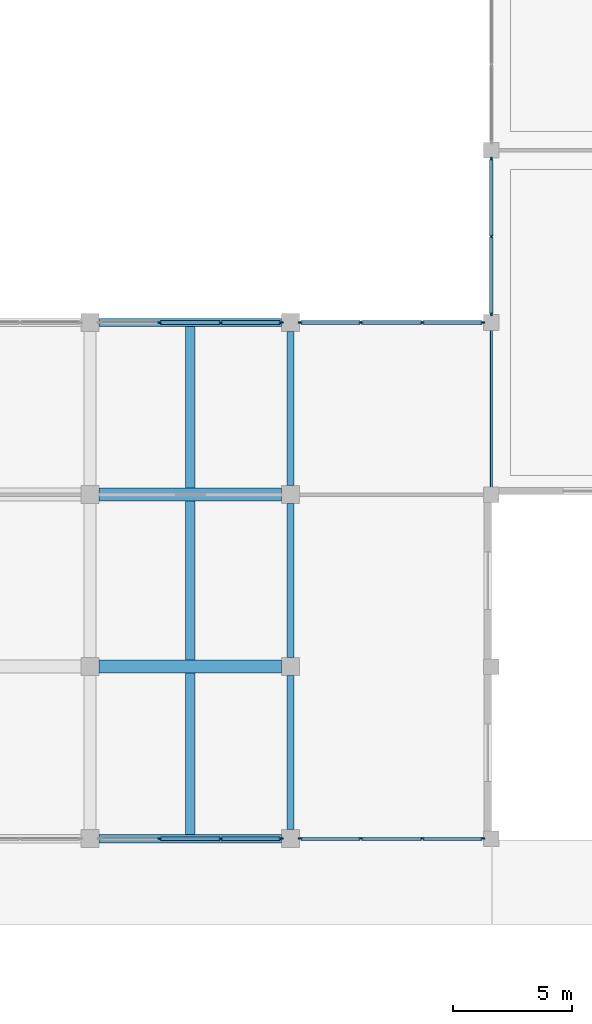
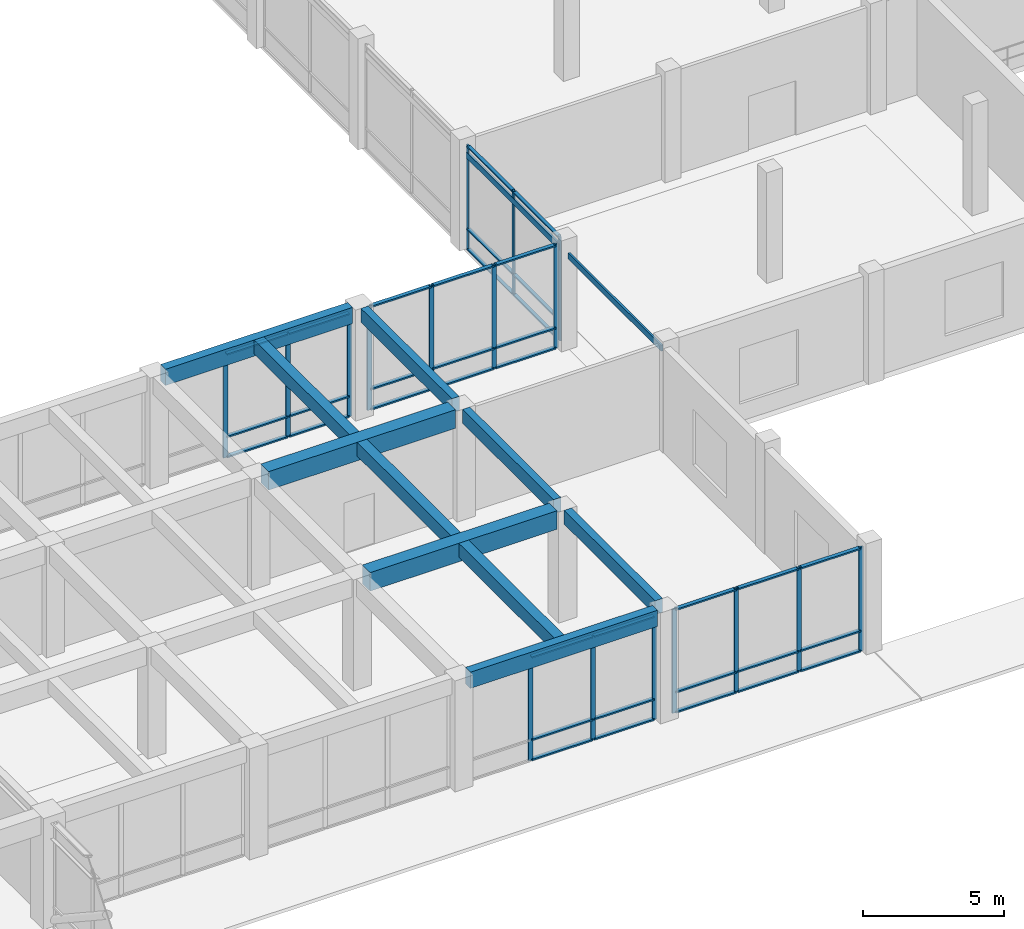
# One storey, part 25 of 52: 55 members, 10 beams, 5 elements without a shape of their own.
"""IFC4 building model written with IfcOpenShell, lengths in metres."""

from ifc_helpers import new_model, si_unit, direction, frame, origin, origin_2d, place, context, subcontext, project, spatial, rectangle, extrude, material, material_profile, profile_set, type_object, element, aggregate, save


model = new_model("IFC4")

# Units and contexts
model_context = context("Model", 3, precision=1e-05, world=origin(), true_north=direction((0.0, 1.0)))
body_context = subcontext(model_context, "Body", "Model", "MODEL_VIEW")
ifc_project = project(units=[si_unit("LENGTHUNIT", "METRE"), si_unit("AREAUNIT", "SQUARE_METRE"), si_unit("VOLUMEUNIT", "CUBIC_METRE"), si_unit("PLANEANGLEUNIT", "RADIAN"), si_unit("MASSUNIT", "GRAM", prefix="KILO")], contexts=[model_context])

# Site, building, storey
site_placement = place(None, origin())
site = spatial("IfcSite", under=ifc_project, at=site_placement, CompositionType="ELEMENT")
building_placement = place(site_placement, origin())
building = spatial("IfcBuilding", under=site, at=building_placement, Name="Kenerak Square Central Library", CompositionType="ELEMENT")
storey_placement = place(building_placement, frame((0.0, 0.0, 4.800048828125)))
storey = spatial("IfcBuildingStorey", under=building, at=storey_placement, Name="L01", CompositionType="ELEMENT", Elevation=4.800048828125)

# Members
ifc_material_1 = material(Name="Chengal hardwood timber SG1", Category="wood")
ifc_material_profile_1 = material_profile(ifc_material_1, rectangle(XDim=0.080078125, YDim=0.260009765625, at=origin_2d()), Name="CHENGAL 80x260")
ifc_profile_set_1 = profile_set([ifc_material_profile_1], Name="Chengal hardwood timber SG1")
member_type_1 = type_object("IfcMemberType", Name="Chengal Sun-Hood Blade CL-02 80x260", PredefinedType="USERDEFINED", material=ifc_profile_set_1)
for number, where, z_axis, x_axis, name in (
    (1, (150.800048828125, 31.5, 4.050048828125), (0.0, 1.0, 0.0), (-1.0, 0.0, 0.0), "Chengal Sun-Hood Blade CL-02 01"),
    (2, (150.800048828125, 38.699951171875, 4.050048828125), (0.0, 1.0, 0.0), (-1.0, 0.0, 0.0), "Chengal Sun-Hood Blade CL-02 02"),
):
    element("IfcMember", number, at=place(storey_placement, frame(where, z_axis=z_axis, x_axis=x_axis)), inside=storey, type_object=member_type_1, Name=name, ObjectType="LOUVRE BLADE", PredefinedType="USERDEFINED", context=body_context, shape_type="SweptSolid", body=[
        extrude(rectangle(XDim=0.080078125, YDim=0.260009765625, at=origin_2d()), origin(), (0.0, 0.0, 1.0), 6.60009765625),
    ])

# Beams
ifc_material_2 = material(Name="Concrete C40/50", Category="concrete")
ifc_material_profile_2 = material_profile(ifc_material_2, rectangle(XDim=0.300048828125, YDim=0.60009765625, at=origin_2d()), Name="RC 300x600")
ifc_profile_set_2 = profile_set([ifc_material_profile_2], Name="Concrete C40/50")
beam_type_1 = type_object("IfcBeamType", Name="Courtyard Spandrel Beam SP-02 RC 300x600 C40/50", PredefinedType="SPANDREL", material=ifc_profile_set_2)
for number, where, z_axis, x_axis, name in (
    (3, (142.39990234375, 17.175048828125, 4.5), (0.0, 1.0, 0.0), (-1.0, 0.0, 0.0), "Beam SP-02 L01 1094"),
    (4, (142.39990234375, 24.375, 4.5), (0.0, 1.0, 0.0), (-1.0, 0.0, 0.0), "Beam SP-02 L01 1095"),
    (5, (142.39990234375, 31.574951171875, 4.5), (0.0, 1.0, 0.0), (-1.0, 0.0, 0.0), "Beam SP-02 L01 1096"),
):
    element("IfcBeam", number, at=place(storey_placement, frame(where, z_axis=z_axis, x_axis=x_axis)), inside=storey, type_object=beam_type_1, Name=name, PredefinedType="SPANDREL", context=body_context, shape_type="SweptSolid", body=[
        extrude(rectangle(XDim=0.300048828125, YDim=0.60009765625, at=origin_2d()), origin(), (0.0, 0.0, 1.0), 6.449951171875),
    ])

# Curtain wall, members
ifc_material_3 = material(Name="Anodised aluminium and solar-control low-E glazing", Category="aluminium")
curtain_wall_type_1 = type_object("IfcCurtainWallType", Name="Curtain Wall CW-V6-76x45 7650x4500", PredefinedType="USERDEFINED", material=ifc_material_3)
curtain_wall_1_placement = place(storey_placement, origin())
curtain_wall_1 = element("IfcCurtainWall", 6, at=curtain_wall_1_placement, inside=storey, type_object=curtain_wall_type_1, Name="Curtain Wall CW-V6-76x45 L01 0037", ObjectType="CURTAIN WALL", PredefinedType="USERDEFINED")
ifc_material_4 = material(Name="Anodised aluminium 6063-T6", Category="aluminium")
ifc_material_profile_3 = material_profile(ifc_material_4, rectangle(XDim=0.06494140625, YDim=0.179931640625, at=origin_2d()), Name="AL MULLION 65x180")
ifc_profile_set_3 = profile_set([ifc_material_profile_3], Name="Anodised aluminium 6063-T6")
member_type_2 = type_object("IfcMemberType", Name="Curtain Mullion CM-01 65x180", PredefinedType="MULLION", material=ifc_profile_set_3)
member_1_placement = place(storey_placement, frame((136.925048828125, 38.39990234375, 0.0), z_axis=(0.0, 0.0, 1.0), x_axis=(0.0, 1.0, 0.0)))
member_1 = element("IfcMember", 7, at=member_1_placement, type_object=member_type_2, Name="CW-V6-76x45 Mullion 2", PredefinedType="MULLION", context=body_context, shape_type="SweptSolid", body=[
    extrude(rectangle(XDim=0.06494140625, YDim=0.179931640625, at=origin_2d()), origin(), (0.0, 0.0, 1.0), 4.5),
])
member_2_placement = place(storey_placement, frame((139.47509765625, 38.39990234375, 0.0), z_axis=(0.0, 0.0, 1.0), x_axis=(0.0, 1.0, 0.0)))
member_2 = element("IfcMember", 8, at=member_2_placement, type_object=member_type_2, Name="CW-V6-76x45 Mullion 3", PredefinedType="MULLION", context=body_context, shape_type="SweptSolid", body=[
    extrude(rectangle(XDim=0.06494140625, YDim=0.179931640625, at=origin_2d()), origin(), (0.0, 0.0, 1.0), 4.5),
])
member_3_placement = place(storey_placement, frame((141.992431640625, 38.39990234375, 0.0), z_axis=(0.0, 0.0, 1.0), x_axis=(0.0, 1.0, 0.0)))
member_3 = element("IfcMember", 9, at=member_3_placement, type_object=member_type_2, Name="CW-V6-76x45 Mullion 4", PredefinedType="MULLION", context=body_context, shape_type="SweptSolid", body=[
    extrude(rectangle(XDim=0.06494140625, YDim=0.179931640625, at=origin_2d()), origin(), (0.0, 0.0, 1.0), 4.5),
])

curtain_wall_type_2 = type_object("IfcCurtainWallType", Name="Curtain Wall CW-V6-77x45 7700x4500", PredefinedType="USERDEFINED", material=ifc_material_3)
curtain_wall_2_placement = place(storey_placement, origin())
curtain_wall_2 = element("IfcCurtainWall", 10, at=curtain_wall_2_placement, inside=storey, type_object=curtain_wall_type_2, Name="Curtain Wall CW-V6-77x45 L01 0038", ObjectType="CURTAIN WALL", PredefinedType="USERDEFINED")
member_4_placement = place(storey_placement, frame((142.8076171875, 38.39990234375, 0.0), z_axis=(0.0, 0.0, 1.0), x_axis=(0.0, 1.0, 0.0)))
member_4 = element("IfcMember", 11, at=member_4_placement, type_object=member_type_2, Name="CW-V6-77x45 Mullion 1", PredefinedType="MULLION", context=body_context, shape_type="SweptSolid", body=[
    extrude(rectangle(XDim=0.06494140625, YDim=0.179931640625, at=origin_2d()), origin(), (0.0, 0.0, 1.0), 4.5),
])
member_5_placement = place(storey_placement, frame((145.341552734375, 38.39990234375, 0.0), z_axis=(0.0, 0.0, 1.0), x_axis=(0.0, 1.0, 0.0)))
member_5 = element("IfcMember", 12, at=member_5_placement, type_object=member_type_2, Name="CW-V6-77x45 Mullion 2", PredefinedType="MULLION", context=body_context, shape_type="SweptSolid", body=[
    extrude(rectangle(XDim=0.06494140625, YDim=0.179931640625, at=origin_2d()), origin(), (0.0, 0.0, 1.0), 4.5),
])
member_6_placement = place(storey_placement, frame((147.908447265625, 38.39990234375, 0.0), z_axis=(0.0, 0.0, 1.0), x_axis=(0.0, 1.0, 0.0)))
member_6 = element("IfcMember", 13, at=member_6_placement, type_object=member_type_2, Name="CW-V6-77x45 Mullion 3", PredefinedType="MULLION", context=body_context, shape_type="SweptSolid", body=[
    extrude(rectangle(XDim=0.06494140625, YDim=0.179931640625, at=origin_2d()), origin(), (0.0, 0.0, 1.0), 4.5),
])
member_7_placement = place(storey_placement, frame((150.4423828125, 38.39990234375, 0.0), z_axis=(0.0, 0.0, 1.0), x_axis=(0.0, 1.0, 0.0)))
member_7 = element("IfcMember", 14, at=member_7_placement, type_object=member_type_2, Name="CW-V6-77x45 Mullion 4", PredefinedType="MULLION", context=body_context, shape_type="SweptSolid", body=[
    extrude(rectangle(XDim=0.06494140625, YDim=0.179931640625, at=origin_2d()), origin(), (0.0, 0.0, 1.0), 4.5),
])

curtain_wall_3_placement = place(storey_placement, origin())
curtain_wall_3 = element("IfcCurtainWall", 15, at=curtain_wall_3_placement, inside=storey, type_object=curtain_wall_type_2, Name="Curtain Wall CW-V6-77x45 L01 0043", ObjectType="CURTAIN WALL", PredefinedType="USERDEFINED")
member_8_placement = place(storey_placement, frame((150.4423828125, 16.800048828125, 0.0), z_axis=(0.0, 0.0, 1.0), x_axis=(0.0, -1.0, 0.0)))
member_8 = element("IfcMember", 16, at=member_8_placement, type_object=member_type_2, Name="CW-V6-77x45 Mullion 1", PredefinedType="MULLION", context=body_context, shape_type="SweptSolid", body=[
    extrude(rectangle(XDim=0.06494140625, YDim=0.179931640625, at=origin_2d()), origin(), (0.0, 0.0, 1.0), 4.5),
])
member_9_placement = place(storey_placement, frame((147.908447265625, 16.800048828125, 0.0), z_axis=(0.0, 0.0, 1.0), x_axis=(0.0, -1.0, 0.0)))
member_9 = element("IfcMember", 17, at=member_9_placement, type_object=member_type_2, Name="CW-V6-77x45 Mullion 2", PredefinedType="MULLION", context=body_context, shape_type="SweptSolid", body=[
    extrude(rectangle(XDim=0.06494140625, YDim=0.179931640625, at=origin_2d()), origin(), (0.0, 0.0, 1.0), 4.5),
])
member_10_placement = place(storey_placement, frame((145.341552734375, 16.800048828125, 0.0), z_axis=(0.0, 0.0, 1.0), x_axis=(0.0, -1.0, 0.0)))
member_10 = element("IfcMember", 18, at=member_10_placement, type_object=member_type_2, Name="CW-V6-77x45 Mullion 3", PredefinedType="MULLION", context=body_context, shape_type="SweptSolid", body=[
    extrude(rectangle(XDim=0.06494140625, YDim=0.179931640625, at=origin_2d()), origin(), (0.0, 0.0, 1.0), 4.5),
])
member_11_placement = place(storey_placement, frame((142.8076171875, 16.800048828125, 0.0), z_axis=(0.0, 0.0, 1.0), x_axis=(0.0, -1.0, 0.0)))
member_11 = element("IfcMember", 19, at=member_11_placement, type_object=member_type_2, Name="CW-V6-77x45 Mullion 4", PredefinedType="MULLION", context=body_context, shape_type="SweptSolid", body=[
    extrude(rectangle(XDim=0.06494140625, YDim=0.179931640625, at=origin_2d()), origin(), (0.0, 0.0, 1.0), 4.5),
])

curtain_wall_4_placement = place(storey_placement, origin())
curtain_wall_4 = element("IfcCurtainWall", 20, at=curtain_wall_4_placement, inside=storey, type_object=curtain_wall_type_1, Name="Curtain Wall CW-V6-76x45 L01 0044", ObjectType="CURTAIN WALL", PredefinedType="USERDEFINED")
member_12_placement = place(storey_placement, frame((141.992431640625, 16.800048828125, 0.0), z_axis=(0.0, 0.0, 1.0), x_axis=(0.0, -1.0, 0.0)))
member_12 = element("IfcMember", 21, at=member_12_placement, type_object=member_type_2, Name="CW-V6-76x45 Mullion 1", PredefinedType="MULLION", context=body_context, shape_type="SweptSolid", body=[
    extrude(rectangle(XDim=0.06494140625, YDim=0.179931640625, at=origin_2d()), origin(), (0.0, 0.0, 1.0), 4.5),
])
member_13_placement = place(storey_placement, frame((139.47509765625, 16.800048828125, 0.0), z_axis=(0.0, 0.0, 1.0), x_axis=(0.0, -1.0, 0.0)))
member_13 = element("IfcMember", 22, at=member_13_placement, type_object=member_type_2, Name="CW-V6-76x45 Mullion 2", PredefinedType="MULLION", context=body_context, shape_type="SweptSolid", body=[
    extrude(rectangle(XDim=0.06494140625, YDim=0.179931640625, at=origin_2d()), origin(), (0.0, 0.0, 1.0), 4.5),
])
member_14_placement = place(storey_placement, frame((136.925048828125, 16.800048828125, 0.0), z_axis=(0.0, 0.0, 1.0), x_axis=(0.0, -1.0, 0.0)))
member_14 = element("IfcMember", 23, at=member_14_placement, type_object=member_type_2, Name="CW-V6-76x45 Mullion 3", PredefinedType="MULLION", context=body_context, shape_type="SweptSolid", body=[
    extrude(rectangle(XDim=0.06494140625, YDim=0.179931640625, at=origin_2d()), origin(), (0.0, 0.0, 1.0), 4.5),
])

curtain_wall_type_3 = type_object("IfcCurtainWallType", Name="Curtain Wall CW-V2-65x45 6550x4500", PredefinedType="USERDEFINED", material=ifc_material_3)
curtain_wall_5_placement = place(storey_placement, origin())
curtain_wall_5 = element("IfcCurtainWall", 24, at=curtain_wall_5_placement, inside=storey, type_object=curtain_wall_type_3, Name="Curtain Wall CW-V2-65x45 L01 0039", ObjectType="CURTAIN WALL", PredefinedType="USERDEFINED")
ifc_material_profile_4 = material_profile(ifc_material_4, rectangle(XDim=0.06005859375, YDim=0.14990234375, at=origin_2d()), Name="AL MULLION 60x150")
ifc_profile_set_4 = profile_set([ifc_material_profile_4], Name="Anodised aluminium 6063-T6")
member_type_3 = type_object("IfcMemberType", Name="Curtain Mullion CM-03 60x150", PredefinedType="MULLION", material=ifc_profile_set_4)
member_15_placement = place(storey_placement, frame((150.800048828125, 38.7548828125, 0.0), z_axis=(0.0, 0.0, 1.0), x_axis=(-1.0, 0.0, 0.0)))
member_15 = element("IfcMember", 25, at=member_15_placement, type_object=member_type_3, Name="CW-V2-65x45 Mullion 1", PredefinedType="MULLION", context=body_context, shape_type="SweptSolid", body=[
    extrude(rectangle(XDim=0.06005859375, YDim=0.14990234375, at=origin_2d()), origin(), (0.0, 0.0, 1.0), 4.5),
])
member_16_placement = place(storey_placement, frame((150.800048828125, 42.0, 0.0), z_axis=(0.0, 0.0, 1.0), x_axis=(-1.0, 0.0, 0.0)))
member_16 = element("IfcMember", 26, at=member_16_placement, type_object=member_type_3, Name="CW-V2-65x45 Mullion 2", PredefinedType="MULLION", context=body_context, shape_type="SweptSolid", body=[
    extrude(rectangle(XDim=0.06005859375, YDim=0.14990234375, at=origin_2d()), origin(), (0.0, 0.0, 1.0), 4.5),
])
member_17_placement = place(storey_placement, frame((150.800048828125, 45.2451171875, 0.0), z_axis=(0.0, 0.0, 1.0), x_axis=(-1.0, 0.0, 0.0)))
member_17 = element("IfcMember", 27, at=member_17_placement, type_object=member_type_3, Name="CW-V2-65x45 Mullion 3", PredefinedType="MULLION", context=body_context, shape_type="SweptSolid", body=[
    extrude(rectangle(XDim=0.06005859375, YDim=0.14990234375, at=origin_2d()), origin(), (0.0, 0.0, 1.0), 4.5),
])

# Member
ifc_material_profile_5 = material_profile(ifc_material_4, rectangle(XDim=0.159912109375, YDim=0.06494140625, at=origin_2d()), Name="AL TRANSOM 160x65")
ifc_profile_set_5 = profile_set([ifc_material_profile_5], Name="Anodised aluminium 6063-T6")
member_type_4 = type_object("IfcMemberType", Name="Curtain Transom CT-11 160x65", PredefinedType="USERDEFINED", material=ifc_profile_set_5)
member_18_placement = place(storey_placement, frame((136.95751953125, 38.39990234375, 0.032470703125), z_axis=(1.0, 0.0, 0.0), x_axis=(0.0, 1.0, 0.0)))
member_18 = element("IfcMember", 28, at=member_18_placement, type_object=member_type_4, Name="CW-V6-76x45 Transom 2.1", ObjectType="TRANSOM", PredefinedType="USERDEFINED", context=body_context, shape_type="SweptSolid", body=[
    extrude(rectangle(XDim=0.159912109375, YDim=0.06494140625, at=origin_2d()), origin(), (0.0, 0.0, 1.0), 2.48486328125),
])

member_19_placement = place(storey_placement, frame((136.95751953125, 38.39990234375, 0.89990234375), z_axis=(1.0, 0.0, 0.0), x_axis=(0.0, 1.0, 0.0)))
member_19 = element("IfcMember", 29, at=member_19_placement, type_object=member_type_4, Name="CW-V6-76x45 Transom 2.2", ObjectType="TRANSOM", PredefinedType="USERDEFINED", context=body_context, shape_type="SweptSolid", body=[
    extrude(rectangle(XDim=0.159912109375, YDim=0.06494140625, at=origin_2d()), origin(), (0.0, 0.0, 1.0), 2.48486328125),
])

member_20_placement = place(storey_placement, frame((136.95751953125, 38.39990234375, 4.467529296875), z_axis=(1.0, 0.0, 0.0), x_axis=(0.0, 1.0, 0.0)))
member_20 = element("IfcMember", 30, at=member_20_placement, type_object=member_type_4, Name="CW-V6-76x45 Transom 2.3", ObjectType="TRANSOM", PredefinedType="USERDEFINED", context=body_context, shape_type="SweptSolid", body=[
    extrude(rectangle(XDim=0.159912109375, YDim=0.06494140625, at=origin_2d()), origin(), (0.0, 0.0, 1.0), 2.48486328125),
])

member_21_placement = place(storey_placement, frame((139.507568359375, 38.39990234375, 0.032470703125), z_axis=(1.0, 0.0, 0.0), x_axis=(0.0, 1.0, 0.0)))
member_21 = element("IfcMember", 31, at=member_21_placement, type_object=member_type_4, Name="CW-V6-76x45 Transom 3.1", ObjectType="TRANSOM", PredefinedType="USERDEFINED", context=body_context, shape_type="SweptSolid", body=[
    extrude(rectangle(XDim=0.159912109375, YDim=0.06494140625, at=origin_2d()), origin(), (0.0, 0.0, 1.0), 2.452392578125),
])

member_22_placement = place(storey_placement, frame((139.507568359375, 38.39990234375, 0.89990234375), z_axis=(1.0, 0.0, 0.0), x_axis=(0.0, 1.0, 0.0)))
member_22 = element("IfcMember", 32, at=member_22_placement, type_object=member_type_4, Name="CW-V6-76x45 Transom 3.2", ObjectType="TRANSOM", PredefinedType="USERDEFINED", context=body_context, shape_type="SweptSolid", body=[
    extrude(rectangle(XDim=0.159912109375, YDim=0.06494140625, at=origin_2d()), origin(), (0.0, 0.0, 1.0), 2.452392578125),
])

member_23_placement = place(storey_placement, frame((139.507568359375, 38.39990234375, 4.467529296875), z_axis=(1.0, 0.0, 0.0), x_axis=(0.0, 1.0, 0.0)))
member_23 = element("IfcMember", 33, at=member_23_placement, type_object=member_type_4, Name="CW-V6-76x45 Transom 3.3", ObjectType="TRANSOM", PredefinedType="USERDEFINED", context=body_context, shape_type="SweptSolid", body=[
    extrude(rectangle(XDim=0.159912109375, YDim=0.06494140625, at=origin_2d()), origin(), (0.0, 0.0, 1.0), 2.452392578125),
])

aggregate(curtain_wall_1, [member_1, member_2, member_3, member_18, member_19, member_20, member_21, member_22, member_23])

member_24_placement = place(storey_placement, frame((142.840087890625, 38.39990234375, 0.032470703125), z_axis=(1.0, 0.0, 0.0), x_axis=(0.0, 1.0, 0.0)))
member_24 = element("IfcMember", 34, at=member_24_placement, type_object=member_type_4, Name="CW-V6-77x45 Transom 1.1", ObjectType="TRANSOM", PredefinedType="USERDEFINED", context=body_context, shape_type="SweptSolid", body=[
    extrude(rectangle(XDim=0.159912109375, YDim=0.06494140625, at=origin_2d()), origin(), (0.0, 0.0, 1.0), 2.468994140625),
])

member_25_placement = place(storey_placement, frame((142.840087890625, 38.39990234375, 0.89990234375), z_axis=(1.0, 0.0, 0.0), x_axis=(0.0, 1.0, 0.0)))
member_25 = element("IfcMember", 35, at=member_25_placement, type_object=member_type_4, Name="CW-V6-77x45 Transom 1.2", ObjectType="TRANSOM", PredefinedType="USERDEFINED", context=body_context, shape_type="SweptSolid", body=[
    extrude(rectangle(XDim=0.159912109375, YDim=0.06494140625, at=origin_2d()), origin(), (0.0, 0.0, 1.0), 2.468994140625),
])

member_26_placement = place(storey_placement, frame((142.840087890625, 38.39990234375, 4.467529296875), z_axis=(1.0, 0.0, 0.0), x_axis=(0.0, 1.0, 0.0)))
member_26 = element("IfcMember", 36, at=member_26_placement, type_object=member_type_4, Name="CW-V6-77x45 Transom 1.3", ObjectType="TRANSOM", PredefinedType="USERDEFINED", context=body_context, shape_type="SweptSolid", body=[
    extrude(rectangle(XDim=0.159912109375, YDim=0.06494140625, at=origin_2d()), origin(), (0.0, 0.0, 1.0), 2.468994140625),
])

member_27_placement = place(storey_placement, frame((145.374267578125, 38.39990234375, 0.032470703125), z_axis=(1.0, 0.0, 0.0), x_axis=(0.0, 1.0, 0.0)))
member_27 = element("IfcMember", 37, at=member_27_placement, type_object=member_type_4, Name="CW-V6-77x45 Transom 2.1", ObjectType="TRANSOM", PredefinedType="USERDEFINED", context=body_context, shape_type="SweptSolid", body=[
    extrude(rectangle(XDim=0.159912109375, YDim=0.06494140625, at=origin_2d()), origin(), (0.0, 0.0, 1.0), 2.50146484375),
])

member_28_placement = place(storey_placement, frame((145.374267578125, 38.39990234375, 0.89990234375), z_axis=(1.0, 0.0, 0.0), x_axis=(0.0, 1.0, 0.0)))
member_28 = element("IfcMember", 38, at=member_28_placement, type_object=member_type_4, Name="CW-V6-77x45 Transom 2.2", ObjectType="TRANSOM", PredefinedType="USERDEFINED", context=body_context, shape_type="SweptSolid", body=[
    extrude(rectangle(XDim=0.159912109375, YDim=0.06494140625, at=origin_2d()), origin(), (0.0, 0.0, 1.0), 2.50146484375),
])

member_29_placement = place(storey_placement, frame((145.374267578125, 38.39990234375, 4.467529296875), z_axis=(1.0, 0.0, 0.0), x_axis=(0.0, 1.0, 0.0)))
member_29 = element("IfcMember", 39, at=member_29_placement, type_object=member_type_4, Name="CW-V6-77x45 Transom 2.3", ObjectType="TRANSOM", PredefinedType="USERDEFINED", context=body_context, shape_type="SweptSolid", body=[
    extrude(rectangle(XDim=0.159912109375, YDim=0.06494140625, at=origin_2d()), origin(), (0.0, 0.0, 1.0), 2.50146484375),
])

member_30_placement = place(storey_placement, frame((147.94091796875, 38.39990234375, 0.032470703125), z_axis=(1.0, 0.0, 0.0), x_axis=(0.0, 1.0, 0.0)))
member_30 = element("IfcMember", 40, at=member_30_placement, type_object=member_type_4, Name="CW-V6-77x45 Transom 3.1", ObjectType="TRANSOM", PredefinedType="USERDEFINED", context=body_context, shape_type="SweptSolid", body=[
    extrude(rectangle(XDim=0.159912109375, YDim=0.06494140625, at=origin_2d()), origin(), (0.0, 0.0, 1.0), 2.468994140625),
])

member_31_placement = place(storey_placement, frame((147.94091796875, 38.39990234375, 0.89990234375), z_axis=(1.0, 0.0, 0.0), x_axis=(0.0, 1.0, 0.0)))
member_31 = element("IfcMember", 41, at=member_31_placement, type_object=member_type_4, Name="CW-V6-77x45 Transom 3.2", ObjectType="TRANSOM", PredefinedType="USERDEFINED", context=body_context, shape_type="SweptSolid", body=[
    extrude(rectangle(XDim=0.159912109375, YDim=0.06494140625, at=origin_2d()), origin(), (0.0, 0.0, 1.0), 2.468994140625),
])

member_32_placement = place(storey_placement, frame((147.94091796875, 38.39990234375, 4.467529296875), z_axis=(1.0, 0.0, 0.0), x_axis=(0.0, 1.0, 0.0)))
member_32 = element("IfcMember", 42, at=member_32_placement, type_object=member_type_4, Name="CW-V6-77x45 Transom 3.3", ObjectType="TRANSOM", PredefinedType="USERDEFINED", context=body_context, shape_type="SweptSolid", body=[
    extrude(rectangle(XDim=0.159912109375, YDim=0.06494140625, at=origin_2d()), origin(), (0.0, 0.0, 1.0), 2.468994140625),
])

aggregate(curtain_wall_2, [member_4, member_5, member_6, member_7, member_24, member_25, member_26, member_27, member_28, member_29, member_30, member_31, member_32])

member_33_placement = place(storey_placement, frame((150.409912109375, 16.800048828125, 0.032470703125), z_axis=(-1.0, 0.0, 0.0), x_axis=(0.0, -1.0, 0.0)))
member_33 = element("IfcMember", 43, at=member_33_placement, type_object=member_type_4, Name="CW-V6-77x45 Transom 1.1", ObjectType="TRANSOM", PredefinedType="USERDEFINED", context=body_context, shape_type="SweptSolid", body=[
    extrude(rectangle(XDim=0.159912109375, YDim=0.06494140625, at=origin_2d()), origin(), (0.0, 0.0, 1.0), 2.468994140625),
])

member_34_placement = place(storey_placement, frame((150.409912109375, 16.800048828125, 0.89990234375), z_axis=(-1.0, 0.0, 0.0), x_axis=(0.0, -1.0, 0.0)))
member_34 = element("IfcMember", 44, at=member_34_placement, type_object=member_type_4, Name="CW-V6-77x45 Transom 1.2", ObjectType="TRANSOM", PredefinedType="USERDEFINED", context=body_context, shape_type="SweptSolid", body=[
    extrude(rectangle(XDim=0.159912109375, YDim=0.06494140625, at=origin_2d()), origin(), (0.0, 0.0, 1.0), 2.468994140625),
])

member_35_placement = place(storey_placement, frame((150.409912109375, 16.800048828125, 4.467529296875), z_axis=(-1.0, 0.0, 0.0), x_axis=(0.0, -1.0, 0.0)))
member_35 = element("IfcMember", 45, at=member_35_placement, type_object=member_type_4, Name="CW-V6-77x45 Transom 1.3", ObjectType="TRANSOM", PredefinedType="USERDEFINED", context=body_context, shape_type="SweptSolid", body=[
    extrude(rectangle(XDim=0.159912109375, YDim=0.06494140625, at=origin_2d()), origin(), (0.0, 0.0, 1.0), 2.468994140625),
])

member_36_placement = place(storey_placement, frame((147.875732421875, 16.800048828125, 0.032470703125), z_axis=(-1.0, 0.0, 0.0), x_axis=(0.0, -1.0, 0.0)))
member_36 = element("IfcMember", 46, at=member_36_placement, type_object=member_type_4, Name="CW-V6-77x45 Transom 2.1", ObjectType="TRANSOM", PredefinedType="USERDEFINED", context=body_context, shape_type="SweptSolid", body=[
    extrude(rectangle(XDim=0.159912109375, YDim=0.06494140625, at=origin_2d()), origin(), (0.0, 0.0, 1.0), 2.50146484375),
])

member_37_placement = place(storey_placement, frame((147.875732421875, 16.800048828125, 0.89990234375), z_axis=(-1.0, 0.0, 0.0), x_axis=(0.0, -1.0, 0.0)))
member_37 = element("IfcMember", 47, at=member_37_placement, type_object=member_type_4, Name="CW-V6-77x45 Transom 2.2", ObjectType="TRANSOM", PredefinedType="USERDEFINED", context=body_context, shape_type="SweptSolid", body=[
    extrude(rectangle(XDim=0.159912109375, YDim=0.06494140625, at=origin_2d()), origin(), (0.0, 0.0, 1.0), 2.50146484375),
])

member_38_placement = place(storey_placement, frame((147.875732421875, 16.800048828125, 4.467529296875), z_axis=(-1.0, 0.0, 0.0), x_axis=(0.0, -1.0, 0.0)))
member_38 = element("IfcMember", 48, at=member_38_placement, type_object=member_type_4, Name="CW-V6-77x45 Transom 2.3", ObjectType="TRANSOM", PredefinedType="USERDEFINED", context=body_context, shape_type="SweptSolid", body=[
    extrude(rectangle(XDim=0.159912109375, YDim=0.06494140625, at=origin_2d()), origin(), (0.0, 0.0, 1.0), 2.50146484375),
])

member_39_placement = place(storey_placement, frame((145.30908203125, 16.800048828125, 0.032470703125), z_axis=(-1.0, 0.0, 0.0), x_axis=(0.0, -1.0, 0.0)))
member_39 = element("IfcMember", 49, at=member_39_placement, type_object=member_type_4, Name="CW-V6-77x45 Transom 3.1", ObjectType="TRANSOM", PredefinedType="USERDEFINED", context=body_context, shape_type="SweptSolid", body=[
    extrude(rectangle(XDim=0.159912109375, YDim=0.06494140625, at=origin_2d()), origin(), (0.0, 0.0, 1.0), 2.468994140625),
])

member_40_placement = place(storey_placement, frame((145.30908203125, 16.800048828125, 0.89990234375), z_axis=(-1.0, 0.0, 0.0), x_axis=(0.0, -1.0, 0.0)))
member_40 = element("IfcMember", 50, at=member_40_placement, type_object=member_type_4, Name="CW-V6-77x45 Transom 3.2", ObjectType="TRANSOM", PredefinedType="USERDEFINED", context=body_context, shape_type="SweptSolid", body=[
    extrude(rectangle(XDim=0.159912109375, YDim=0.06494140625, at=origin_2d()), origin(), (0.0, 0.0, 1.0), 2.468994140625),
])

member_41_placement = place(storey_placement, frame((145.30908203125, 16.800048828125, 4.467529296875), z_axis=(-1.0, 0.0, 0.0), x_axis=(0.0, -1.0, 0.0)))
member_41 = element("IfcMember", 51, at=member_41_placement, type_object=member_type_4, Name="CW-V6-77x45 Transom 3.3", ObjectType="TRANSOM", PredefinedType="USERDEFINED", context=body_context, shape_type="SweptSolid", body=[
    extrude(rectangle(XDim=0.159912109375, YDim=0.06494140625, at=origin_2d()), origin(), (0.0, 0.0, 1.0), 2.468994140625),
])

aggregate(curtain_wall_3, [member_8, member_9, member_10, member_11, member_33, member_34, member_35, member_36, member_37, member_38, member_39, member_40, member_41])

member_42_placement = place(storey_placement, frame((141.9599609375, 16.800048828125, 0.032470703125), z_axis=(-1.0, 0.0, 0.0), x_axis=(0.0, -1.0, 0.0)))
member_42 = element("IfcMember", 52, at=member_42_placement, type_object=member_type_4, Name="CW-V6-76x45 Transom 1.1", ObjectType="TRANSOM", PredefinedType="USERDEFINED", context=body_context, shape_type="SweptSolid", body=[
    extrude(rectangle(XDim=0.159912109375, YDim=0.06494140625, at=origin_2d()), origin(), (0.0, 0.0, 1.0), 2.452392578125),
])

member_43_placement = place(storey_placement, frame((141.9599609375, 16.800048828125, 0.89990234375), z_axis=(-1.0, 0.0, 0.0), x_axis=(0.0, -1.0, 0.0)))
member_43 = element("IfcMember", 53, at=member_43_placement, type_object=member_type_4, Name="CW-V6-76x45 Transom 1.2", ObjectType="TRANSOM", PredefinedType="USERDEFINED", context=body_context, shape_type="SweptSolid", body=[
    extrude(rectangle(XDim=0.159912109375, YDim=0.06494140625, at=origin_2d()), origin(), (0.0, 0.0, 1.0), 2.452392578125),
])

member_44_placement = place(storey_placement, frame((141.9599609375, 16.800048828125, 4.467529296875), z_axis=(-1.0, 0.0, 0.0), x_axis=(0.0, -1.0, 0.0)))
member_44 = element("IfcMember", 54, at=member_44_placement, type_object=member_type_4, Name="CW-V6-76x45 Transom 1.3", ObjectType="TRANSOM", PredefinedType="USERDEFINED", context=body_context, shape_type="SweptSolid", body=[
    extrude(rectangle(XDim=0.159912109375, YDim=0.06494140625, at=origin_2d()), origin(), (0.0, 0.0, 1.0), 2.452392578125),
])

member_45_placement = place(storey_placement, frame((139.4423828125, 16.800048828125, 0.032470703125), z_axis=(-1.0, 0.0, 0.0), x_axis=(0.0, -1.0, 0.0)))
member_45 = element("IfcMember", 55, at=member_45_placement, type_object=member_type_4, Name="CW-V6-76x45 Transom 2.1", ObjectType="TRANSOM", PredefinedType="USERDEFINED", context=body_context, shape_type="SweptSolid", body=[
    extrude(rectangle(XDim=0.159912109375, YDim=0.06494140625, at=origin_2d()), origin(), (0.0, 0.0, 1.0), 2.48486328125),
])

member_46_placement = place(storey_placement, frame((139.4423828125, 16.800048828125, 0.89990234375), z_axis=(-1.0, 0.0, 0.0), x_axis=(0.0, -1.0, 0.0)))
member_46 = element("IfcMember", 56, at=member_46_placement, type_object=member_type_4, Name="CW-V6-76x45 Transom 2.2", ObjectType="TRANSOM", PredefinedType="USERDEFINED", context=body_context, shape_type="SweptSolid", body=[
    extrude(rectangle(XDim=0.159912109375, YDim=0.06494140625, at=origin_2d()), origin(), (0.0, 0.0, 1.0), 2.48486328125),
])

member_47_placement = place(storey_placement, frame((139.4423828125, 16.800048828125, 4.467529296875), z_axis=(-1.0, 0.0, 0.0), x_axis=(0.0, -1.0, 0.0)))
member_47 = element("IfcMember", 57, at=member_47_placement, type_object=member_type_4, Name="CW-V6-76x45 Transom 2.3", ObjectType="TRANSOM", PredefinedType="USERDEFINED", context=body_context, shape_type="SweptSolid", body=[
    extrude(rectangle(XDim=0.159912109375, YDim=0.06494140625, at=origin_2d()), origin(), (0.0, 0.0, 1.0), 2.48486328125),
])

aggregate(curtain_wall_4, [member_12, member_13, member_14, member_42, member_43, member_44, member_45, member_46, member_47])

ifc_material_profile_6 = material_profile(ifc_material_4, rectangle(XDim=0.139892578125, YDim=0.06005859375, at=origin_2d()), Name="AL TRANSOM 140x60")
ifc_profile_set_6 = profile_set([ifc_material_profile_6], Name="Anodised aluminium 6063-T6")
member_type_5 = type_object("IfcMemberType", Name="Curtain Transom CT-13 140x60", PredefinedType="USERDEFINED", material=ifc_profile_set_6)
member_48_placement = place(storey_placement, frame((150.800048828125, 38.784912109375, 0.030029296875), z_axis=(0.0, 1.0, 0.0), x_axis=(-1.0, 0.0, 0.0)))
member_48 = element("IfcMember", 58, at=member_48_placement, type_object=member_type_5, Name="CW-V2-65x45 Transom 1.1", ObjectType="TRANSOM", PredefinedType="USERDEFINED", context=body_context, shape_type="SweptSolid", body=[
    extrude(rectangle(XDim=0.139892578125, YDim=0.06005859375, at=origin_2d()), origin(), (0.0, 0.0, 1.0), 3.18505859375),
])

member_49_placement = place(storey_placement, frame((150.800048828125, 38.784912109375, 0.89990234375), z_axis=(0.0, 1.0, 0.0), x_axis=(-1.0, 0.0, 0.0)))
member_49 = element("IfcMember", 59, at=member_49_placement, type_object=member_type_5, Name="CW-V2-65x45 Transom 1.2", ObjectType="TRANSOM", PredefinedType="USERDEFINED", context=body_context, shape_type="SweptSolid", body=[
    extrude(rectangle(XDim=0.139892578125, YDim=0.06005859375, at=origin_2d()), origin(), (0.0, 0.0, 1.0), 3.18505859375),
])

member_50_placement = place(storey_placement, frame((150.800048828125, 38.784912109375, 4.469970703125), z_axis=(0.0, 1.0, 0.0), x_axis=(-1.0, 0.0, 0.0)))
member_50 = element("IfcMember", 60, at=member_50_placement, type_object=member_type_5, Name="CW-V2-65x45 Transom 1.3", ObjectType="TRANSOM", PredefinedType="USERDEFINED", context=body_context, shape_type="SweptSolid", body=[
    extrude(rectangle(XDim=0.139892578125, YDim=0.06005859375, at=origin_2d()), origin(), (0.0, 0.0, 1.0), 3.18505859375),
])

member_51_placement = place(storey_placement, frame((150.800048828125, 42.030029296875, 0.030029296875), z_axis=(0.0, 1.0, 0.0), x_axis=(-1.0, 0.0, 0.0)))
member_51 = element("IfcMember", 61, at=member_51_placement, type_object=member_type_5, Name="CW-V2-65x45 Transom 2.1", ObjectType="TRANSOM", PredefinedType="USERDEFINED", context=body_context, shape_type="SweptSolid", body=[
    extrude(rectangle(XDim=0.139892578125, YDim=0.06005859375, at=origin_2d()), origin(), (0.0, 0.0, 1.0), 3.18505859375),
])

member_52_placement = place(storey_placement, frame((150.800048828125, 42.030029296875, 0.89990234375), z_axis=(0.0, 1.0, 0.0), x_axis=(-1.0, 0.0, 0.0)))
member_52 = element("IfcMember", 62, at=member_52_placement, type_object=member_type_5, Name="CW-V2-65x45 Transom 2.2", ObjectType="TRANSOM", PredefinedType="USERDEFINED", context=body_context, shape_type="SweptSolid", body=[
    extrude(rectangle(XDim=0.139892578125, YDim=0.06005859375, at=origin_2d()), origin(), (0.0, 0.0, 1.0), 3.18505859375),
])

member_53_placement = place(storey_placement, frame((150.800048828125, 42.030029296875, 4.469970703125), z_axis=(0.0, 1.0, 0.0), x_axis=(-1.0, 0.0, 0.0)))
member_53 = element("IfcMember", 63, at=member_53_placement, type_object=member_type_5, Name="CW-V2-65x45 Transom 2.3", ObjectType="TRANSOM", PredefinedType="USERDEFINED", context=body_context, shape_type="SweptSolid", body=[
    extrude(rectangle(XDim=0.139892578125, YDim=0.06005859375, at=origin_2d()), origin(), (0.0, 0.0, 1.0), 3.18505859375),
])

aggregate(curtain_wall_5, [member_15, member_16, member_17, member_48, member_49, member_50, member_51, member_52, member_53])

# Beams
ifc_material_profile_7 = material_profile(ifc_material_2, rectangle(XDim=0.35009765625, YDim=0.699951171875, at=origin_2d()), Name="RC 350x700")
ifc_profile_set_7 = profile_set([ifc_material_profile_7], Name="Concrete C40/50")
beam_type_2 = type_object("IfcBeamType", Name="Expressed Spandrel Beam SP-01 RC 350x700 C40/50", PredefinedType="SPANDREL", material=ifc_profile_set_7)
for number, where, z_axis, x_axis, name in (
    (64, (134.375, 16.800048828125, 4.449951171875), (1.0, 0.0, 0.0), (0.0, 1.0, 0.0), "Beam SP-01 L01 0870"),
    (65, (134.375, 38.39990234375, 4.449951171875), (1.0, 0.0, 0.0), (0.0, 1.0, 0.0), "Beam SP-01 L01 0908"),
):
    element("IfcBeam", number, at=place(storey_placement, frame(where, z_axis=z_axis, x_axis=x_axis)), inside=storey, type_object=beam_type_2, Name=name, PredefinedType="SPANDREL", context=body_context, shape_type="SweptSolid", body=[
        extrude(rectangle(XDim=0.35009765625, YDim=0.699951171875, at=origin_2d()), origin(), (0.0, 0.0, 1.0), 7.64990234375),
    ])
ifc_material_profile_8 = material_profile(ifc_material_2, rectangle(XDim=0.550048828125, YDim=0.800048828125, at=origin_2d()), Name="RC 550x800")
ifc_profile_set_8 = profile_set([ifc_material_profile_8], Name="Concrete C40/50")
beam_type_3 = type_object("IfcBeamType", Name="Primary Reading Beam B-04 RC 550x800 C40/50", PredefinedType="BEAM", material=ifc_profile_set_8)
for number, where, z_axis, x_axis, name in (
    (66, (134.375, 24.0, 4.39990234375), (1.0, 0.0, 0.0), (0.0, 1.0, 0.0), "Beam B-04 L01 0881"),
    (67, (134.375, 31.199951171875, 4.39990234375), (1.0, 0.0, 0.0), (0.0, 1.0, 0.0), "Beam B-04 L01 0895"),
):
    element("IfcBeam", number, at=place(storey_placement, frame(where, z_axis=z_axis, x_axis=x_axis)), inside=storey, type_object=beam_type_3, Name=name, PredefinedType="BEAM", context=body_context, shape_type="SweptSolid", body=[
        extrude(rectangle(XDim=0.550048828125, YDim=0.800048828125, at=origin_2d()), origin(), (0.0, 0.0, 1.0), 7.64990234375),
    ])
ifc_material_profile_9 = material_profile(ifc_material_2, rectangle(XDim=0.39990234375, YDim=0.60009765625, at=origin_2d()), Name="RC 400x600")
ifc_profile_set_9 = profile_set([ifc_material_profile_9], Name="Concrete C40/50")
beam_type_4 = type_object("IfcBeamType", Name="Secondary Floor Joist J-01 RC 400x600 C40/50", PredefinedType="JOIST", material=ifc_profile_set_9)
beam_1_placement = place(storey_placement, frame((138.199951171875, 16.97509765625, 4.5), z_axis=(0.0, 1.0, 0.0), x_axis=(-1.0, 0.0, 0.0)))
element("IfcBeam", 68, at=beam_1_placement, inside=storey, type_object=beam_type_4, Name="Joist J-01 L01 1185", PredefinedType="JOIST", context=body_context, shape_type="SweptSolid", body=[
    extrude(rectangle(XDim=0.39990234375, YDim=0.60009765625, at=origin_2d()), origin(), (0.0, 0.0, 1.0), 6.75),
])
beam_2_placement = place(storey_placement, frame((138.199951171875, 24.27490234375, 4.5), z_axis=(0.0, 1.0, 0.0), x_axis=(-1.0, 0.0, 0.0)))
element("IfcBeam", 69, at=beam_2_placement, inside=storey, type_object=beam_type_4, Name="Joist J-01 L01 1186", PredefinedType="JOIST", context=body_context, shape_type="SweptSolid", body=[
    extrude(rectangle(XDim=0.39990234375, YDim=0.60009765625, at=origin_2d()), origin(), (0.0, 0.0, 1.0), 6.650146484375),
])
beam_3_placement = place(storey_placement, frame((138.199951171875, 31.47509765625, 4.5), z_axis=(0.0, 1.0, 0.0), x_axis=(-1.0, 0.0, 0.0)))
element("IfcBeam", 70, at=beam_3_placement, inside=storey, type_object=beam_type_4, Name="Joist J-01 L01 1187", PredefinedType="JOIST", context=body_context, shape_type="SweptSolid", body=[
    extrude(rectangle(XDim=0.39990234375, YDim=0.60009765625, at=origin_2d()), origin(), (0.0, 0.0, 1.0), 6.75),
])

save(model, "model.ifc")
